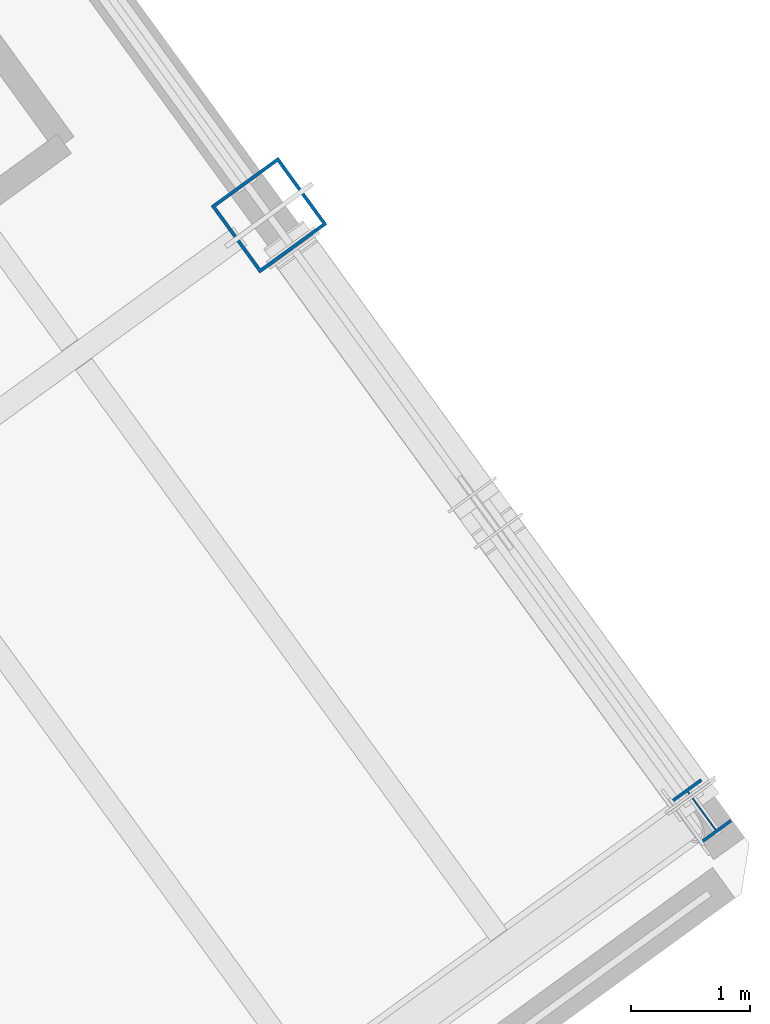
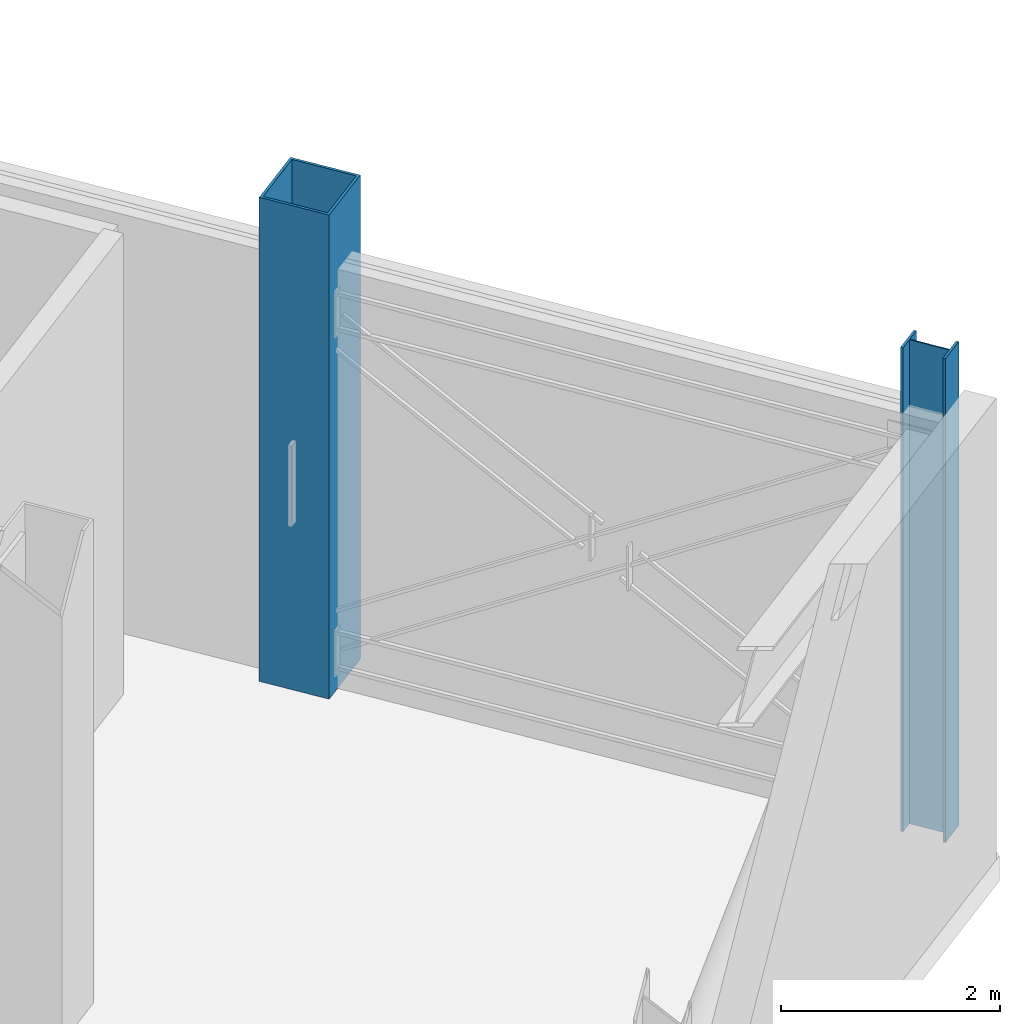
# One storey, part 4 of 32: 2 columns.
"""IFC4 building model written with IfcOpenShell, lengths in metres."""

from ifc_helpers import new_model, si_unit, direction, frame, origin, origin_2d, place, context, subcontext, project, spatial, hollow_rectangle, i_section, extrude, source, transform, mapped, material, material_profile, profile_set, type_object, element, save


model = new_model("IFC4")

# Units and contexts
model_context = context("Model", 3, precision=1e-05, world=origin(), true_north=direction((0.0, 1.0)))
body_context = subcontext(model_context, "Body", "Model", "MODEL_VIEW")
ifc_project = project(units=[si_unit("LENGTHUNIT", "METRE"), si_unit("AREAUNIT", "SQUARE_METRE"), si_unit("VOLUMEUNIT", "CUBIC_METRE"), si_unit("PLANEANGLEUNIT", "RADIAN"), si_unit("MASSUNIT", "GRAM", prefix="KILO")], contexts=[model_context])

# Site, building, storey
site_placement = place(None, origin())
site = spatial("IfcSite", under=ifc_project, at=site_placement, CompositionType="ELEMENT")
building_placement = place(site_placement, origin())
building = spatial("IfcBuilding", under=site, at=building_placement, Name="Tlacorven Tower", CompositionType="ELEMENT")
storey_placement = place(building_placement, frame((0.0, 0.0, 245.699951171875)))
storey = spatial("IfcBuildingStorey", under=building, at=storey_placement, Name="L62", CompositionType="ELEMENT", Elevation=245.699951171875)

# Columns
ifc_material_1 = material(Name="Steel S460M", Category="steel")
ifc_material_profile_1 = material_profile(ifc_material_1, hollow_rectangle(XDim=0.699951171875, YDim=0.699951171875, WallThickness=0.028076171875, at=origin_2d()), Name="BOX 700X700X28")
ifc_profile_set_1 = profile_set([ifc_material_profile_1], Name="Steel S460M")
column_type_1 = type_object("IfcColumnType", Name="COL-TWR-S4", PredefinedType="COLUMN", material=ifc_profile_set_1)
shared_shape_1 = source(origin(), body_context, "Body", "SweptSolid", [
    extrude(hollow_rectangle(XDim=0.699951171875, YDim=0.699951171875, WallThickness=0.028076171875, at=origin_2d()), origin(), (0.0, 0.0, 1.0), 5.400146484375),
])
column_1_placement = place(storey_placement, frame((67.267822265625, 23.353515625, 0.0), z_axis=(0.0, 0.0, 1.0), x_axis=(0.809016994375, 0.587785252292, 0.0)))
element("IfcColumn", 1, at=column_1_placement, inside=storey, type_object=column_type_1, Name="L62 column COL-L62-E4-2", PredefinedType="COLUMN", context=body_context, shape_type="MappedRepresentation", body=[
    mapped(shared_shape_1, transform((0.0, 0.0, 0.0), scale=1.0)),
])
ifc_material_2 = material(Name="Steel S355J2", Category="steel")
ifc_material_profile_2 = material_profile(ifc_material_2, i_section(OverallWidth=0.300048828125, OverallDepth=0.449951171875, WebThickness=0.013916015625, FlangeThickness=0.02587890625, at=origin_2d()), Name="HEB 450")
ifc_profile_set_2 = profile_set([ifc_material_profile_2], Name="Steel S355J2")
column_type_2 = type_object("IfcColumnType", Name="COL-TWR-P3", PredefinedType="COLUMN", material=ifc_profile_set_2)
shared_shape_2 = source(origin(), body_context, "Body", "SweptSolid", [
    extrude(i_section(OverallWidth=0.300048828125, OverallDepth=0.449951171875, WebThickness=0.013916015625, FlangeThickness=0.02587890625, at=origin_2d()), origin(), (0.0, 0.0, 1.0), 5.400146484375),
])
column_2_placement = place(storey_placement, frame((70.911865234375, 18.337646484375, 0.0), z_axis=(0.0, 0.0, 1.0), x_axis=(0.809016994375, 0.587785252292, 0.0)))
element("IfcColumn", 2, at=column_2_placement, inside=storey, type_object=column_type_2, Name="L62 column COL-L62-E4-1", PredefinedType="COLUMN", context=body_context, shape_type="MappedRepresentation", body=[
    mapped(shared_shape_2, transform((0.0, 0.0, 0.0), scale=1.0)),
])

save(model, "model.ifc")
